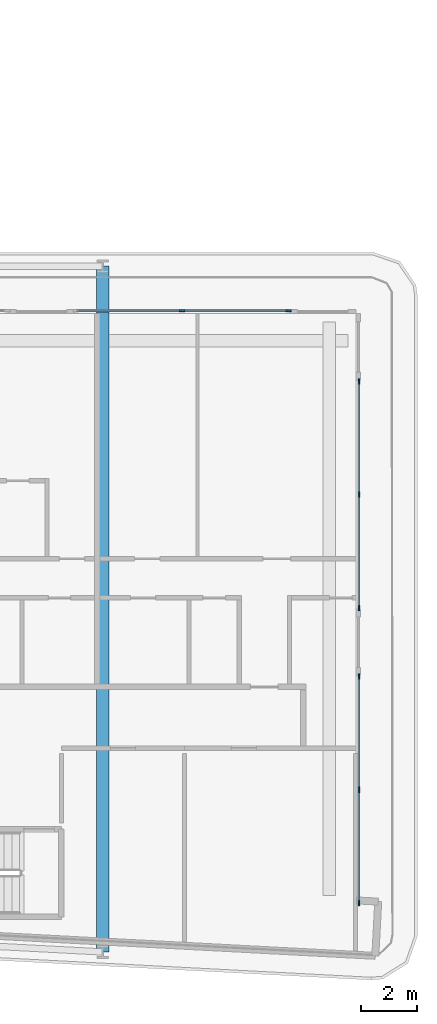
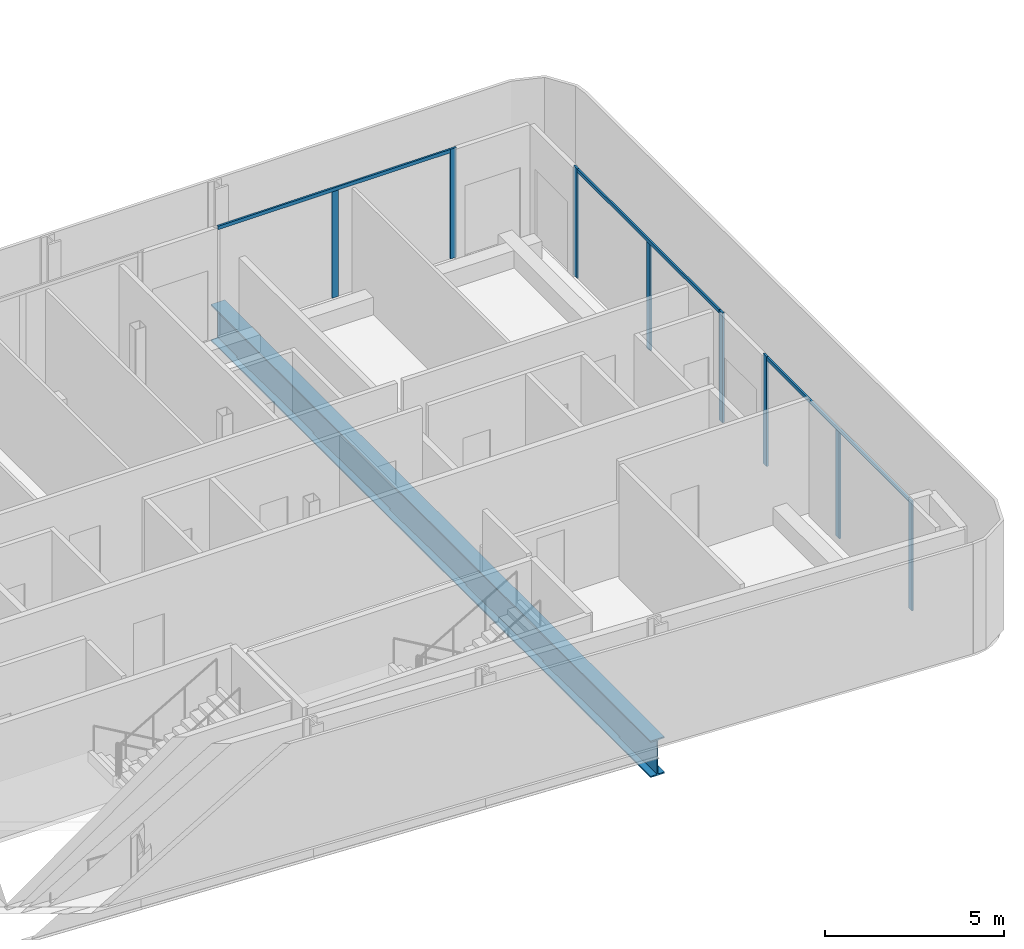
# One storey, part 8 of 25: 11 members, 1 beam, 3 elements without a shape of their own.
"""IFC4 building model written with IfcOpenShell, lengths in metres."""

from ifc_helpers import new_model, si_unit, direction, frame, origin, origin_2d, place, context, subcontext, project, spatial, rectangle, i_section, extrude, material, layer, layer_set, material_profile, profile_set, type_object, element, aggregate, save


model = new_model("IFC4")

# Units and contexts
model_context = context("Model", 3, precision=1e-05, world=origin(), true_north=direction((0.0, 1.0)))
body_context = subcontext(model_context, "Body", "Model", "MODEL_VIEW")
ifc_project = project(units=[si_unit("LENGTHUNIT", "METRE"), si_unit("AREAUNIT", "SQUARE_METRE"), si_unit("VOLUMEUNIT", "CUBIC_METRE"), si_unit("PLANEANGLEUNIT", "RADIAN"), si_unit("MASSUNIT", "GRAM", prefix="KILO")], contexts=[model_context])

# Site, building, storey
site_placement = place(None, origin())
site = spatial("IfcSite", under=ifc_project, at=site_placement, CompositionType="ELEMENT")
building_placement = place(site_placement, origin())
building = spatial("IfcBuilding", under=site, at=building_placement, Name="Kheshtan School and Residences Tower", CompositionType="ELEMENT")
storey_placement = place(building_placement, frame((0.0, 0.0, 109.699951171875)))
storey = spatial("IfcBuildingStorey", under=building, at=storey_placement, Name="L25", CompositionType="ELEMENT", Elevation=109.699951171875)

# Curtain wall, members
ifc_material_1 = material(Name="Clear low-e glass in thermally broken aluminium frame", Category="aluminium")
ifc_layer = layer(ifc_material_1, 0.199951171875)
ifc_layer_set = layer_set([ifc_layer], Name="Curtain wall CW-L")
curtain_wall_type = type_object("IfcCurtainWallType", Name="Curtain wall CW-L", PredefinedType="NOTDEFINED", material=ifc_layer_set)
curtain_wall_1_placement = place(storey_placement, origin())
curtain_wall_1 = element("IfcCurtainWall", 1, at=curtain_wall_1_placement, inside=storey, type_object=curtain_wall_type, Name="Curtain wall CWL8", PredefinedType="NOTDEFINED")
ifc_material_2 = material(Name="Thermally broken aluminium, dark bronze anodised", Category="aluminium")
ifc_material_profile_1 = material_profile(ifc_material_2, rectangle(XDim=0.06005859375, YDim=0.199951171875, at=origin_2d()), Name="CW-L mullion 60x200")
ifc_profile_set_1 = profile_set([ifc_material_profile_1], Name="Thermally broken aluminium, dark bronze anodised")
member_type_1 = type_object("IfcMemberType", Name="CW-L mullion 60x200", PredefinedType="MULLION", material=ifc_profile_set_1)
member_1_placement = place(storey_placement, frame((93.653076171875, 44.0, 0.0), z_axis=(0.0, 0.0, 1.0), x_axis=(0.0, 1.0, 0.0)))
member_1 = element("IfcMember", 2, at=member_1_placement, type_object=member_type_1, Name="CWL8 mullion 2", PredefinedType="MULLION", context=body_context, shape_type="SweptSolid", body=[
    extrude(rectangle(XDim=0.06005859375, YDim=0.199951171875, at=origin_2d()), origin(), (0.0, 0.0, 1.0), 3.630126953125),
])
member_2_placement = place(storey_placement, frame((97.469970703125, 44.0, 0.0), z_axis=(0.0, 0.0, 1.0), x_axis=(0.0, 1.0, 0.0)))
member_2 = element("IfcMember", 3, at=member_2_placement, type_object=member_type_1, Name="CWL8 mullion 3", PredefinedType="MULLION", context=body_context, shape_type="SweptSolid", body=[
    extrude(rectangle(XDim=0.06005859375, YDim=0.199951171875, at=origin_2d()), origin(), (0.0, 0.0, 1.0), 3.75),
])

curtain_wall_2_placement = place(storey_placement, origin())
curtain_wall_2 = element("IfcCurtainWall", 4, at=curtain_wall_2_placement, inside=storey, type_object=curtain_wall_type, Name="Curtain wall CWL9", PredefinedType="NOTDEFINED")
member_3_placement = place(storey_placement, frame((100.0, 41.469970703125, 0.0), z_axis=(0.0, 0.0, 1.0), x_axis=(1.0, 0.0, 0.0)))
member_3 = element("IfcMember", 5, at=member_3_placement, type_object=member_type_1, Name="CWL9 mullion 1", PredefinedType="MULLION", context=body_context, shape_type="SweptSolid", body=[
    extrude(rectangle(XDim=0.06005859375, YDim=0.199951171875, at=origin_2d()), origin(), (0.0, 0.0, 1.0), 3.75),
])
member_4_placement = place(storey_placement, frame((100.0, 37.403564453125, 0.0), z_axis=(0.0, 0.0, 1.0), x_axis=(1.0, 0.0, 0.0)))
member_4 = element("IfcMember", 6, at=member_4_placement, type_object=member_type_1, Name="CWL9 mullion 2", PredefinedType="MULLION", context=body_context, shape_type="SweptSolid", body=[
    extrude(rectangle(XDim=0.06005859375, YDim=0.199951171875, at=origin_2d()), origin(), (0.0, 0.0, 1.0), 3.630126953125),
])
member_5_placement = place(storey_placement, frame((100.0, 33.3369140625, 0.0), z_axis=(0.0, 0.0, 1.0), x_axis=(1.0, 0.0, 0.0)))
member_5 = element("IfcMember", 7, at=member_5_placement, type_object=member_type_1, Name="CWL9 mullion 3", PredefinedType="MULLION", context=body_context, shape_type="SweptSolid", body=[
    extrude(rectangle(XDim=0.06005859375, YDim=0.199951171875, at=origin_2d()), origin(), (0.0, 0.0, 1.0), 3.75),
])

curtain_wall_3_placement = place(storey_placement, origin())
curtain_wall_3 = element("IfcCurtainWall", 8, at=curtain_wall_3_placement, inside=storey, type_object=curtain_wall_type, Name="Curtain wall CWL9", PredefinedType="NOTDEFINED")
member_6_placement = place(storey_placement, frame((100.0, 30.876953125, 0.0), z_axis=(0.0, 0.0, 1.0), x_axis=(1.0, 0.0, 0.0)))
member_6 = element("IfcMember", 9, at=member_6_placement, type_object=member_type_1, Name="CWL9 mullion 1", PredefinedType="MULLION", context=body_context, shape_type="SweptSolid", body=[
    extrude(rectangle(XDim=0.06005859375, YDim=0.199951171875, at=origin_2d()), origin(), (0.0, 0.0, 1.0), 3.75),
])
member_7_placement = place(storey_placement, frame((100.0, 26.810546875, 0.0), z_axis=(0.0, 0.0, 1.0), x_axis=(1.0, 0.0, 0.0)))
member_7 = element("IfcMember", 10, at=member_7_placement, type_object=member_type_1, Name="CWL9 mullion 2", PredefinedType="MULLION", context=body_context, shape_type="SweptSolid", body=[
    extrude(rectangle(XDim=0.06005859375, YDim=0.199951171875, at=origin_2d()), origin(), (0.0, 0.0, 1.0), 3.630126953125),
])
member_8_placement = place(storey_placement, frame((100.0, 22.743896484375, 0.0), z_axis=(0.0, 0.0, 1.0), x_axis=(1.0, 0.0, 0.0)))
member_8 = element("IfcMember", 11, at=member_8_placement, type_object=member_type_1, Name="CWL9 mullion 3", PredefinedType="MULLION", context=body_context, shape_type="SweptSolid", body=[
    extrude(rectangle(XDim=0.06005859375, YDim=0.199951171875, at=origin_2d()), origin(), (0.0, 0.0, 1.0), 3.75),
])

# Member
ifc_material_profile_2 = material_profile(ifc_material_2, rectangle(XDim=0.06005859375, YDim=0.1201171875, at=origin_2d()), Name="CW-L transom 60x120")
ifc_profile_set_2 = profile_set([ifc_material_profile_2], Name="Thermally broken aluminium, dark bronze anodised")
member_type_2 = type_object("IfcMemberType", Name="CW-L transom 60x120", PredefinedType="USERDEFINED", material=ifc_profile_set_2)
member_9_placement = place(storey_placement, frame((89.865966796875, 44.0, 3.68994140625), z_axis=(1.0, 0.0, 0.0), x_axis=(0.0, 1.0, 0.0)))
member_9 = element("IfcMember", 12, at=member_9_placement, type_object=member_type_2, Name="CWL8 transom 1", ObjectType="TRANSOM", PredefinedType="USERDEFINED", context=body_context, shape_type="SweptSolid", body=[
    extrude(rectangle(XDim=0.06005859375, YDim=0.1201171875, at=origin_2d()), origin(), (0.0, 0.0, 1.0), 7.573974609375),
])

aggregate(curtain_wall_1, [member_1, member_2, member_9])

member_10_placement = place(storey_placement, frame((100.0, 41.43994140625, 3.68994140625), z_axis=(0.0, -1.0, 0.0), x_axis=(1.0, 0.0, 0.0)))
member_10 = element("IfcMember", 13, at=member_10_placement, type_object=member_type_2, Name="CWL9 transom 1", ObjectType="TRANSOM", PredefinedType="USERDEFINED", context=body_context, shape_type="SweptSolid", body=[
    extrude(rectangle(XDim=0.06005859375, YDim=0.1201171875, at=origin_2d()), origin(), (0.0, 0.0, 1.0), 8.072998046875),
])

aggregate(curtain_wall_2, [member_3, member_4, member_5, member_10])

member_11_placement = place(storey_placement, frame((100.0, 30.846923828125, 3.68994140625), z_axis=(0.0, -1.0, 0.0), x_axis=(1.0, 0.0, 0.0)))
member_11 = element("IfcMember", 14, at=member_11_placement, type_object=member_type_2, Name="CWL9 transom 1", ObjectType="TRANSOM", PredefinedType="USERDEFINED", context=body_context, shape_type="SweptSolid", body=[
    extrude(rectangle(XDim=0.06005859375, YDim=0.1201171875, at=origin_2d()), origin(), (0.0, 0.0, 1.0), 8.072998046875),
])

aggregate(curtain_wall_3, [member_6, member_7, member_8, member_11])

# Beam
ifc_material_3 = material(Name="Steel ASTM A992 Grade 50", Category="steel")
ifc_material_profile_3 = material_profile(ifc_material_3, i_section(OverallWidth=0.449951171875, OverallDepth=1.25, WebThickness=0.02490234375, FlangeThickness=0.044921875, FilletRadius=0.03759765625, at=origin_2d()), Name="WWF1250x546")
ifc_profile_set_3 = profile_set([ifc_material_profile_3], Name="Steel ASTM A992 Grade 50")
beam_type = type_object("IfcBeamType", Name="Transfer girder TG4 WWF1250x546 ASTM A992 Grade 50", PredefinedType="BEAM", material=ifc_profile_set_3)
beam_placement = place(storey_placement, frame((90.800048828125, 45.60009765625, -0.77490234375), z_axis=(0.0, -1.0, 0.0), x_axis=(1.0, 0.0, 0.0)))
element("IfcBeam", 15, at=beam_placement, inside=storey, type_object=beam_type, Name="Transfer girder C068-C006", PredefinedType="BEAM", context=body_context, shape_type="SweptSolid", body=[
    extrude(i_section(OverallWidth=0.449951171875, OverallDepth=1.25, WebThickness=0.02490234375, FlangeThickness=0.044921875, FilletRadius=0.03759765625, at=origin_2d()), origin(), (0.0, 0.0, 1.0), 24.610107421875),
])

save(model, "model.ifc")
